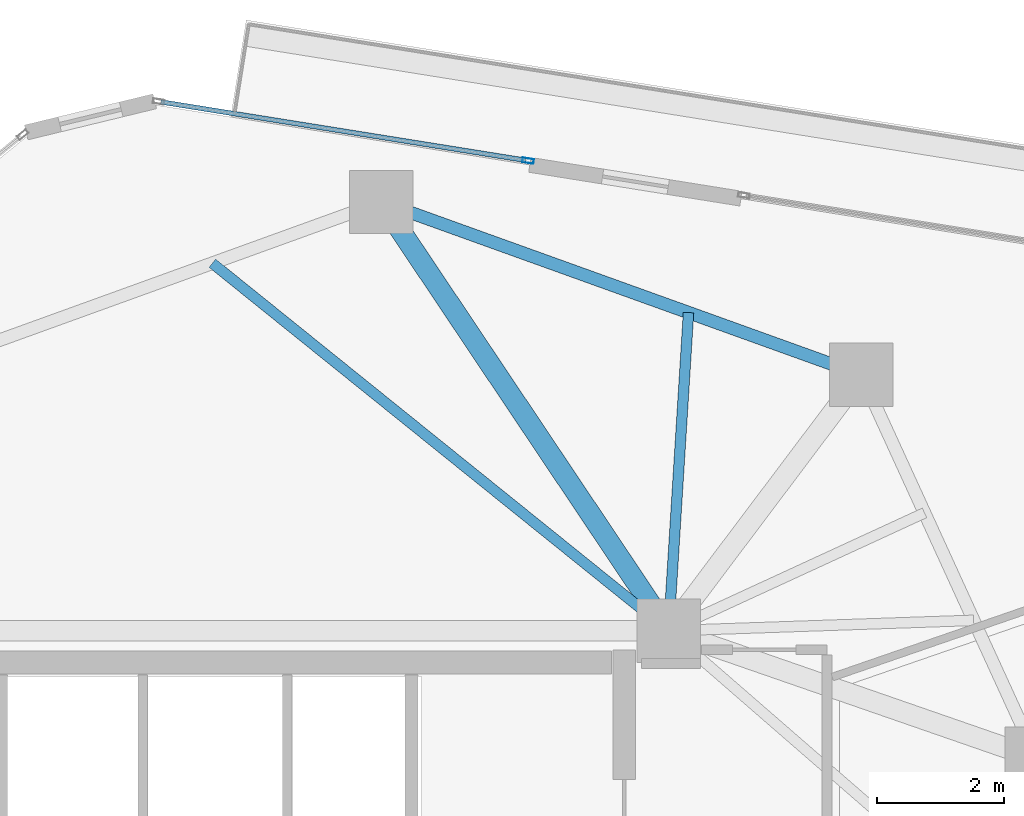
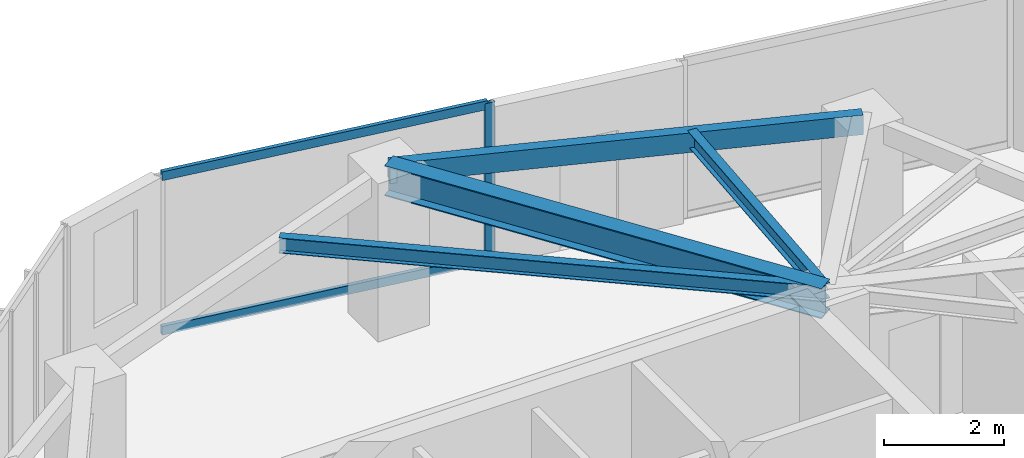
# One storey, part 15 of 22: 4 beams, 3 members, 1 element without a shape of its own.
"""IFC4 building model written with IfcOpenShell, lengths in metres."""

from ifc_helpers import new_model, si_unit, direction, frame, origin, origin_2d, place, context, subcontext, project, spatial, hollow_rectangle, i_section, extrude, source, transform, mapped, material, layer, layer_set, material_profile, profile_set, type_object, type_shapes, element, aggregate, save


model = new_model("IFC4")

# Units and contexts
model_context = context("Model", 3, precision=1e-05, world=origin(), true_north=direction((0.0, 1.0)))
body_context = subcontext(model_context, "Body", "Model", "MODEL_VIEW")
ifc_project = project(units=[si_unit("LENGTHUNIT", "METRE"), si_unit("AREAUNIT", "SQUARE_METRE"), si_unit("VOLUMEUNIT", "CUBIC_METRE"), si_unit("PLANEANGLEUNIT", "RADIAN"), si_unit("MASSUNIT", "GRAM", prefix="KILO")], contexts=[model_context])

# Site, building, storey
site_placement = place(None, origin())
site = spatial("IfcSite", under=ifc_project, at=site_placement, CompositionType="ELEMENT")
building_placement = place(site_placement, origin())
building = spatial("IfcBuilding", under=site, at=building_placement, Name="Talar Marvaseh", CompositionType="ELEMENT")
storey_placement = place(building_placement, frame((0.0, 0.0, 229.199951171875)))
storey = spatial("IfcBuildingStorey", under=building, at=storey_placement, Name="L60", CompositionType="ELEMENT", Elevation=229.199951171875)

# Beams
ifc_material_1 = material(Name="Steel S355", Category="steel")
ifc_material_profile_1 = material_profile(ifc_material_1, hollow_rectangle(XDim=0.199951171875, YDim=0.39990234375, WallThickness=0.013916015625, at=origin_2d()), Name="RHS400x200x14")
ifc_profile_set_1 = profile_set([ifc_material_profile_1], Name="Steel S355")
beam_type_1 = type_object("IfcBeamType", Name="Zone 3 Perimeter Spandrel Beam RHS400x200x14", PredefinedType="SPANDREL", material=ifc_profile_set_1)
beam_1_placement = place(storey_placement, frame((28.76611328125, 43.66796875, 3.030029296875), z_axis=(0.940923359576, -0.3386195969, 0.0), x_axis=(0.3386195969, 0.940923359576, 0.0)))
element("IfcBeam", 1, at=beam_1_placement, inside=storey, type_object=beam_type_1, Name="L60 Zone 3 Perimeter Spandrel Beam RHS400x200x14", PredefinedType="SPANDREL", context=body_context, shape_type="SweptSolid", body=[
    extrude(hollow_rectangle(XDim=0.199951171875, YDim=0.39990234375, WallThickness=0.013916015625, at=origin_2d()), origin(), (0.0, 0.0, 1.0), 8.050537109375),
])
ifc_material_profile_2 = material_profile(ifc_material_1, i_section(OverallWidth=0.324951171875, OverallDepth=0.615966796875, WebThickness=0.013916015625, FlangeThickness=0.021484375, at=origin_2d()), Name="W610x174")
ifc_profile_set_2 = profile_set([ifc_material_profile_2], Name="Steel S355")
beam_type_2 = type_object("IfcBeamType", Name="Zone 3 Radial Floor Girder W610x174", PredefinedType="BEAM", material=ifc_profile_set_2)
beam_2_placement = place(storey_placement, frame((28.76611328125, 43.66796875, 2.922119140625), z_axis=(0.556559209375, -0.830807948, 0.0), x_axis=(0.830807948, 0.556559209375, 0.0)))
element("IfcBeam", 2, at=beam_2_placement, inside=storey, type_object=beam_type_2, Name="L60 Zone 3 Radial Floor Girder W610x174", PredefinedType="BEAM", context=body_context, shape_type="SweptSolid", body=[
    extrude(i_section(OverallWidth=0.324951171875, OverallDepth=0.615966796875, WebThickness=0.013916015625, FlangeThickness=0.021484375, at=origin_2d()), origin(), (0.0, 0.0, 1.0), 8.146484375),
])
ifc_material_profile_3 = material_profile(ifc_material_1, i_section(OverallWidth=0.166015625, OverallDepth=0.31298828125, WebThickness=0.006591796875, FlangeThickness=0.01123046875, at=origin_2d()), Name="W310x45")
ifc_profile_set_3 = profile_set([ifc_material_profile_3], Name="Steel S355")
beam_type_3 = type_object("IfcBeamType", Name="Zone 3 Secondary Floor Joist W310x45", PredefinedType="JOIST", material=ifc_profile_set_3)
beam_3_placement = place(storey_placement, frame((33.614013671875, 41.92333984375, 3.073486328125), z_axis=(-0.062378286155, -0.998052578483, 0.0), x_axis=(0.998052578483, -0.062378286155, 0.0)))
element("IfcBeam", 3, at=beam_3_placement, inside=storey, type_object=beam_type_3, Name="L60 Zone 3 Secondary Floor Joist W310x45", PredefinedType="JOIST", context=body_context, shape_type="SweptSolid", body=[
    extrude(i_section(OverallWidth=0.166015625, OverallDepth=0.31298828125, WebThickness=0.006591796875, FlangeThickness=0.01123046875, at=origin_2d()), origin(), (0.0, 0.0, 1.0), 5.033203125),
])
beam_4_placement = place(storey_placement, frame((26.096923828125, 42.702392578125, 3.073486328125), z_axis=(0.778755341842, -0.627327759272, 0.0), x_axis=(0.627327759272, 0.778755341842, 0.0)))
element("IfcBeam", 4, at=beam_4_placement, inside=storey, type_object=beam_type_3, Name="L60 Zone 3 Secondary Floor Joist W310x45", PredefinedType="JOIST", context=body_context, shape_type="SweptSolid", body=[
    extrude(i_section(OverallWidth=0.166015625, OverallDepth=0.31298828125, WebThickness=0.006591796875, FlangeThickness=0.01123046875, at=origin_2d()), origin(), (0.0, 0.0, 1.0), 9.24951171875),
])

# Curtain wall, members
ifc_material_2 = material(Name="Architectural Aluminium", Category="aluminium")
ifc_layer = layer(ifc_material_2, 0.18994140625)
ifc_layer_set = layer_set([ifc_layer], Name="Architectural Aluminium")
curtain_wall_type = type_object("IfcCurtainWallType", Name="Unitised Solar Atelier Curtain Wall Z3", PredefinedType="NOTDEFINED", material=ifc_layer_set)
curtain_wall_placement = place(storey_placement, origin())
curtain_wall = element("IfcCurtainWall", 5, at=curtain_wall_placement, inside=storey, type_object=curtain_wall_type, Name="L60 Unitised Solar Atelier Curtain Wall Z3", PredefinedType="NOTDEFINED")
ifc_material_profile_4 = material_profile(ifc_material_2, hollow_rectangle(XDim=0.074951171875, YDim=0.179931640625, WallThickness=0.0048828125, at=origin_2d()), Name="RHS180x75x5")
ifc_profile_set_4 = profile_set([ifc_material_profile_4], Name="Architectural Aluminium")
member_type_1 = type_object("IfcMemberType", Name="Unitised Curtain Wall Standard Mullion RHS180x75x5", PredefinedType="MULLION", material=ifc_profile_set_4)
shared_shape_1 = source(origin(), body_context, "Body", "SweptSolid", [
    extrude(hollow_rectangle(XDim=0.074951171875, YDim=0.179931640625, WallThickness=0.0048828125, at=origin_2d()), origin(), (0.0, 0.0, 1.0), 3.22998046875),
])
type_shapes(member_type_1, [shared_shape_1])
member_1_placement = place(storey_placement, frame((31.081787109375, 44.320068359375, 0.0), z_axis=(0.0, 0.0, 1.0), x_axis=(0.15808503423, 0.987425501976, 0.0)))
member_1 = element("IfcMember", 6, at=member_1_placement, type_object=member_type_1, Name="CW-Z3 mullion 2", PredefinedType="MULLION", context=body_context, shape_type="MappedRepresentation", body=[
    mapped(shared_shape_1, transform((0.0, 0.0, 0.0), x_axis=(1.0, 0.0, 0.0), y_axis=(0.0, 1.0, 0.0), z_axis=(0.0, 0.0, 1.0), scale=1.0)),
])
ifc_material_profile_5 = material_profile(ifc_material_2, hollow_rectangle(XDim=0.074951171875, YDim=0.179931640625, WallThickness=0.0048828125, at=origin_2d()), Name="RHS180x75x5")
ifc_profile_set_5 = profile_set([ifc_material_profile_5], Name="Architectural Aluminium")
member_type_2 = type_object("IfcMemberType", Name="Unitised Curtain Wall Transom RHS180x75x5", PredefinedType="USERDEFINED", material=ifc_profile_set_5)
shared_shape_2 = source(origin(), body_context, "Body", "SweptSolid", [
    extrude(hollow_rectangle(XDim=0.074951171875, YDim=0.179931640625, WallThickness=0.0048828125, at=origin_2d()), origin(), (0.0, 0.0, 1.0), 5.83203125),
])
type_shapes(member_type_2, [shared_shape_2])
member_2_placement = place(storey_placement, frame((25.285888671875, 45.248046875, 0.03759765625), z_axis=(0.987421555356, -0.158109683508, 0.0), x_axis=(0.158109683508, 0.987421555356, 0.0)))
member_2 = element("IfcMember", 7, at=member_2_placement, type_object=member_type_2, Name="CW-Z3 transom 1.1", ObjectType="TRANSOM", PredefinedType="USERDEFINED", context=body_context, shape_type="MappedRepresentation", body=[
    mapped(shared_shape_2, transform((0.0, 0.0, 0.0), x_axis=(1.0, 0.0, 0.0), y_axis=(0.0, 1.0, 0.0), z_axis=(0.0, 0.0, 1.0), scale=1.0)),
])
member_3_placement = place(storey_placement, frame((25.285888671875, 45.248046875, 3.192626953125), z_axis=(0.987421555356, -0.158109683508, 0.0), x_axis=(0.158109683508, 0.987421555356, 0.0)))
member_3 = element("IfcMember", 8, at=member_3_placement, type_object=member_type_2, Name="CW-Z3 transom 1.2", ObjectType="TRANSOM", PredefinedType="USERDEFINED", context=body_context, shape_type="MappedRepresentation", body=[
    mapped(shared_shape_2, transform((0.0, 0.0, 0.0), x_axis=(1.0, 0.0, 0.0), y_axis=(0.0, 1.0, 0.0), z_axis=(0.0, 0.0, 1.0), scale=1.0)),
])
aggregate(curtain_wall, [member_1, member_2, member_3])

save(model, "model.ifc")
